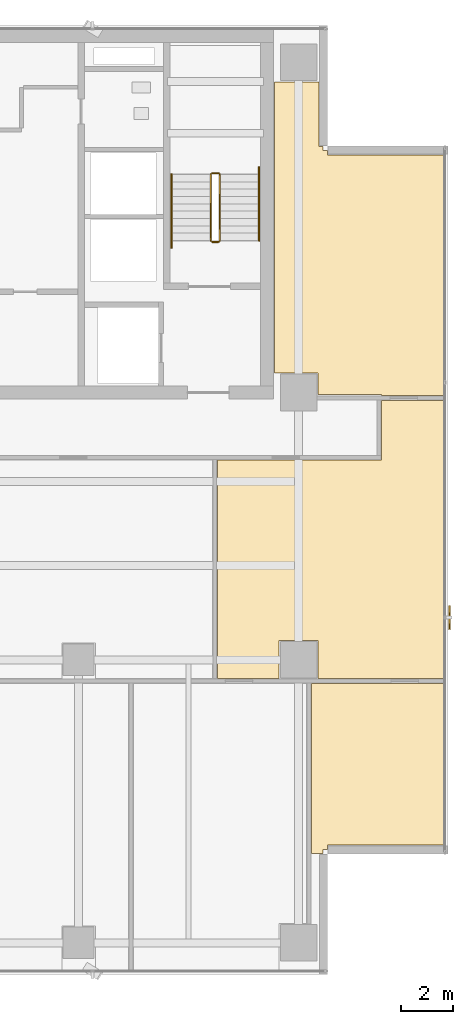
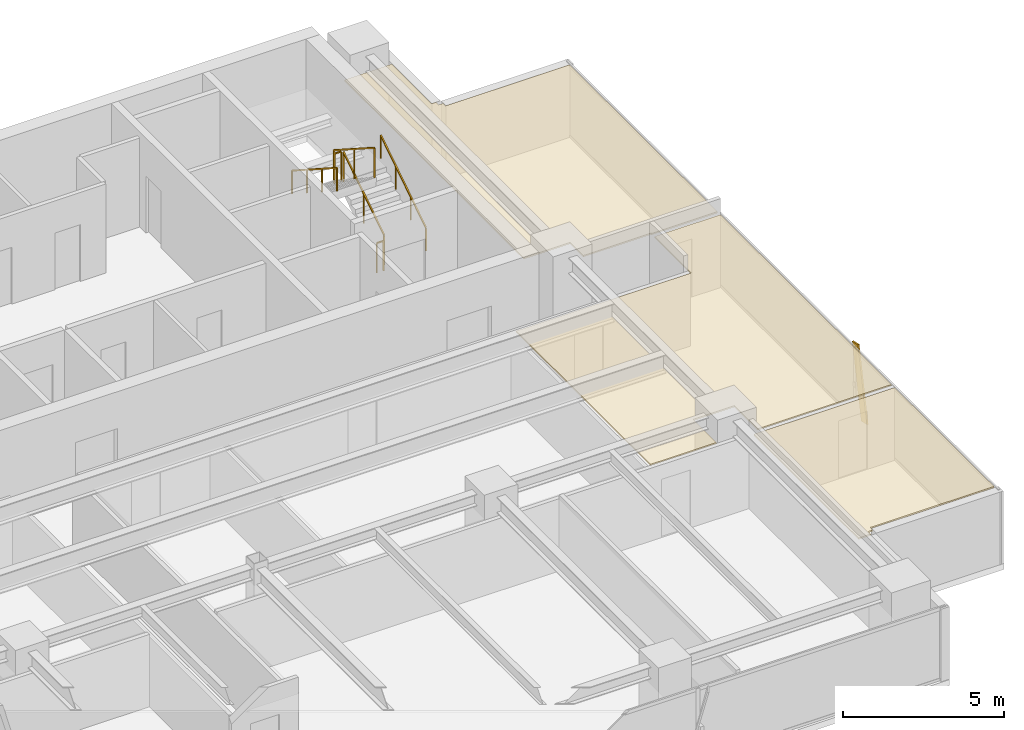
# One storey, part 24 of 26: 6 railings, 3 coverings, 1 shading device.
"""IFC4 building model written with IfcOpenShell, lengths in metres."""

from ifc_helpers import new_model, si_unit, direction, frame, origin, origin_2d, place, context, subcontext, project, spatial, polyline, rectangle, outline, extrude, source, transform, mapped, material, layer, layer_set, material_profile, profile_set, type_object, element, save


model = new_model("IFC4")

# Units and contexts
model_context = context("Model", 3, precision=1e-05, world=origin(), true_north=direction((0.0, 1.0)))
body_context = subcontext(model_context, "Body", "Model", "MODEL_VIEW")
ifc_project = project(units=[si_unit("LENGTHUNIT", "METRE"), si_unit("AREAUNIT", "SQUARE_METRE"), si_unit("VOLUMEUNIT", "CUBIC_METRE"), si_unit("PLANEANGLEUNIT", "RADIAN"), si_unit("MASSUNIT", "GRAM", prefix="KILO")], contexts=[model_context])

# Site, building, storey
site_placement = place(None, origin())
site = spatial("IfcSite", under=ifc_project, at=site_placement, CompositionType="ELEMENT")
building_placement = place(site_placement, origin())
building = spatial("IfcBuilding", under=site, at=building_placement, Name="Sumidabori Civic Tower", CompositionType="ELEMENT")
storey_placement = place(building_placement, frame((0.0, 0.0, 250.39990234375)))
storey = spatial("IfcBuildingStorey", under=building, at=storey_placement, Name="L65", CompositionType="ELEMENT", Elevation=250.39990234375)

# Coverings
ifc_material_1 = material(Name="Anodised Bronze Baffle Ceiling")
ifc_layer = layer(ifc_material_1, 0.054931640625, Name="Anodised Bronze Baffle Ceiling")
ifc_layer_set = layer_set([ifc_layer], Name="Anodised Bronze Baffle Ceiling")
covering_type = type_object("IfcCoveringType", Name="CV-CEIL-AC3", PredefinedType="CEILING", material=ifc_layer_set)
covering_1_placement = place(storey_placement, frame((0.0, 0.0, 2.72021484375)))
element("IfcCovering", 1, at=covering_1_placement, inside=storey, type_object=covering_type, Name="Room Acoustic Ceiling L65-02", PredefinedType="CEILING", context=body_context, shape_type="SweptSolid", body=[
    extrude(outline(polyline([(17.572021484375, 22.06005859375), (17.572021484375, 19.592041015625), (17.72998046875, 19.592041015625), (17.72998046875, 19.429931640625), (17.89208984375, 19.429931640625), (17.89208984375, 19.27197265625), (22.330078125, 19.27197265625), (22.330078125, 10.094970703125), (19.969970703125, 10.094970703125), (19.969970703125, 10.1201171875), (17.5400390625, 10.1201171875), (17.5400390625, 10.93994140625), (15.8779296875, 10.93994140625), (15.8779296875, 22.06005859375), (17.572021484375, 22.06005859375)])), origin(), (0.0, 0.0, 1.0), 0.054931640625),
])
covering_2_placement = place(storey_placement, frame((0.0, 0.0, 2.72021484375)))
element("IfcCovering", 2, at=covering_2_placement, inside=storey, type_object=covering_type, Name="Room Acoustic Ceiling L65-04", PredefinedType="CEILING", context=body_context, shape_type="SweptSolid", body=[
    extrude(outline(polyline([(13.695068359375, 7.6298828125), (19.969970703125, 7.6298828125), (19.969970703125, 9.905029296875), (22.330078125, 9.905029296875), (22.330078125, -0.705078125), (17.5400390625, -0.705078125), (17.5400390625, 0.739990234375), (16.06005859375, 0.739990234375), (16.06005859375, -0.705078125), (13.695068359375, -0.705078125), (13.695068359375, 7.6298828125)])), origin(), (0.0, 0.0, 1.0), 0.054931640625),
])
covering_3_placement = place(storey_placement, frame((0.0, 0.0, 2.72021484375)))
element("IfcCovering", 3, at=covering_3_placement, inside=storey, type_object=covering_type, Name="Room Acoustic Ceiling L65-10", PredefinedType="CEILING", context=body_context, shape_type="SweptSolid", body=[
    extrude(outline(polyline([(22.330078125, -0.89501953125), (22.330078125, -7.072021484375), (17.89208984375, -7.072021484375), (17.89208984375, -7.22998046875), (17.72998046875, -7.22998046875), (17.72998046875, -7.39208984375), (17.294921875, -7.39208984375), (17.294921875, -0.89501953125), (22.330078125, -0.89501953125)])), origin(), (0.0, 0.0, 1.0), 0.054931640625),
])

# Railings
ifc_material_2 = material(Name="Stainless Steel Hairline Finish", Category="steel")
railing_type_1 = type_object("IfcRailingType", Name="RL-HANDRAIL", PredefinedType="HANDRAIL", material=ifc_material_2)
railing_1_placement = place(storey_placement, frame((15.2900390625, 16.0, 0.18017578125)))
element("IfcRailing", 4, at=railing_1_placement, inside=storey, type_object=railing_type_1, Name="L65 ST-2 stair handrail 1", PredefinedType="HANDRAIL", context=body_context, shape_type="SweptSolid", body=[
    extrude(rectangle(XDim=0.048095703125, YDim=0.048095703125, at=origin_2d()), frame((0.0, 0.0, 0.8759765625), z_axis=(0.0, 0.840675598268, 0.541539046124), x_axis=(-1.0, 0.0, 0.0)), (0.0, 0.0, 1.0), 3.330810546875),
    extrude(rectangle(XDim=0.0419921875, YDim=0.0419921875, at=origin_2d()), origin(), (0.0, 0.0, 1.0), 0.851806640625),
    extrude(rectangle(XDim=0.0419921875, YDim=0.0419921875, at=origin_2d()), frame((0.0, 0.933349609375, 0.601318359375)), (0.0, 0.0, 1.0), 0.851806640625),
    extrude(rectangle(XDim=0.0419921875, YDim=0.0419921875, at=origin_2d()), frame((0.0, 1.86669921875, 1.202392578125)), (0.0, 0.0, 1.0), 0.851806640625),
    extrude(rectangle(XDim=0.0419921875, YDim=0.0419921875, at=origin_2d()), frame((0.0, 2.800048828125, 1.8037109375)), (0.0, 0.0, 1.0), 0.851806640625),
])
railing_2_placement = place(storey_placement, frame((11.949951171875, 18.52001953125, 1.97998046875)))
element("IfcRailing", 5, at=railing_2_placement, inside=storey, type_object=railing_type_1, Name="L65 ST-2 stair handrail 2", PredefinedType="HANDRAIL", context=body_context, shape_type="SweptSolid", body=[
    extrude(rectangle(XDim=0.048095703125, YDim=0.048095703125, at=origin_2d()), frame((0.0, 0.0, 0.8759765625), z_axis=(0.0, -0.84064222762, 0.54159084662), x_axis=(1.0, 0.0, 0.0)), (0.0, 0.0, 1.0), 3.330810546875),
    extrude(rectangle(XDim=0.0419921875, YDim=0.0419921875, at=origin_2d()), origin(), (0.0, 0.0, 1.0), 0.851806640625),
    extrude(rectangle(XDim=0.0419921875, YDim=0.0419921875, at=origin_2d()), frame((0.0, -0.933349609375, 0.601318359375)), (0.0, 0.0, 1.0), 0.851806640625),
    extrude(rectangle(XDim=0.0419921875, YDim=0.0419921875, at=origin_2d()), frame((0.0, -1.86669921875, 1.20263671875)), (0.0, 0.0, 1.0), 0.851806640625),
    extrude(rectangle(XDim=0.0419921875, YDim=0.0419921875, at=origin_2d()), frame((0.0, -2.800048828125, 1.803955078125)), (0.0, 0.0, 1.0), 0.851806640625),
])
ifc_material_3 = material(Name="Steel SN490", Category="steel")
railing_type_2 = type_object("IfcRailingType", Name="RL-STAIR-GUARD", PredefinedType="GUARDRAIL", material=ifc_material_3)
railing_3_placement = place(storey_placement, frame((13.7900390625, 16.0, 0.18017578125)))
element("IfcRailing", 6, at=railing_3_placement, inside=storey, type_object=railing_type_2, Name="L65 ST-2 stair guard 1", PredefinedType="GUARDRAIL", context=body_context, shape_type="SweptSolid", body=[
    extrude(rectangle(XDim=0.048095703125, YDim=0.048095703125, at=origin_2d()), frame((0.0, 0.0, 1.1259765625), z_axis=(0.0, 0.841199657755, 0.540724639528), x_axis=(-1.0, 0.0, 0.0)), (0.0, 0.0, 1.0), 2.995849609375),
    extrude(rectangle(XDim=0.0419921875, YDim=0.0419921875, at=origin_2d()), origin(), (0.0, 0.0, 1.0), 1.101806640625),
    extrude(rectangle(XDim=0.0419921875, YDim=0.0419921875, at=origin_2d()), frame((0.0, 1.260009765625, 0.81005859375)), (0.0, 0.0, 1.0), 1.101806640625),
    extrude(rectangle(XDim=0.0419921875, YDim=0.0419921875, at=origin_2d()), frame((0.0, 2.52001953125, 1.619873046875)), (0.0, 0.0, 1.0), 1.101806640625),
])
railing_4_placement = place(storey_placement, frame((13.739990234375, 18.570068359375, 1.800048828125)))
element("IfcRailing", 7, at=railing_4_placement, inside=storey, type_object=railing_type_2, Name="L65 ST-2 stair guard 2", PredefinedType="GUARDRAIL", context=body_context, shape_type="SweptSolid", body=[
    extrude(rectangle(XDim=0.048095703125, YDim=0.048095703125, at=origin_2d()), frame((0.0, 0.0, 1.1259765625), z_axis=(-1.0, 0.0, 0.0), x_axis=(0.0, -1.0, 0.0)), (0.0, 0.0, 1.0), 0.239990234375),
    extrude(rectangle(XDim=0.0419921875, YDim=0.0419921875, at=origin_2d()), origin(), (0.0, 0.0, 1.0), 1.101806640625),
    extrude(rectangle(XDim=0.0419921875, YDim=0.0419921875, at=origin_2d()), frame((-0.239990234375, 0.0, 0.0)), (0.0, 0.0, 1.0), 1.101806640625),
])
railing_5_placement = place(storey_placement, frame((13.449951171875, 18.52001953125, 1.97998046875)))
element("IfcRailing", 8, at=railing_5_placement, inside=storey, type_object=railing_type_2, Name="L65 ST-2 stair guard 3", PredefinedType="GUARDRAIL", context=body_context, shape_type="SweptSolid", body=[
    extrude(rectangle(XDim=0.048095703125, YDim=0.048095703125, at=origin_2d()), frame((0.0, 0.0, 1.1259765625), z_axis=(0.0, -0.841162588446, 0.540782303519), x_axis=(1.0, 0.0, 0.0)), (0.0, 0.0, 1.0), 2.995849609375),
    extrude(rectangle(XDim=0.0419921875, YDim=0.0419921875, at=origin_2d()), origin(), (0.0, 0.0, 1.0), 1.101806640625),
    extrude(rectangle(XDim=0.0419921875, YDim=0.0419921875, at=origin_2d()), frame((0.0, -1.260009765625, 0.81005859375)), (0.0, 0.0, 1.0), 1.101806640625),
    extrude(rectangle(XDim=0.0419921875, YDim=0.0419921875, at=origin_2d()), frame((0.0, -2.52001953125, 1.6201171875)), (0.0, 0.0, 1.0), 1.101806640625),
])
railing_6_placement = place(storey_placement, frame((13.739990234375, 15.949951171875, 0.0)))
element("IfcRailing", 9, at=railing_6_placement, inside=storey, type_object=railing_type_2, Name="L65 ST-2 stair guard 4", PredefinedType="GUARDRAIL", context=body_context, shape_type="SweptSolid", body=[
    extrude(rectangle(XDim=0.048095703125, YDim=0.048095703125, at=origin_2d()), frame((0.0, 0.0, 1.1259765625), z_axis=(-1.0, 0.0, 0.0), x_axis=(0.0, -1.0, 0.0)), (0.0, 0.0, 1.0), 0.239990234375),
    extrude(rectangle(XDim=0.0419921875, YDim=0.0419921875, at=origin_2d()), origin(), (0.0, 0.0, 1.0), 1.101806640625),
    extrude(rectangle(XDim=0.0419921875, YDim=0.0419921875, at=origin_2d()), frame((-0.239990234375, 0.0, 0.0)), (0.0, 0.0, 1.0), 1.101806640625),
])

# Shading device
ifc_material_4 = material(Name="Anodised Bronze Aluminium AW-6063-T6", Category="aluminium")
ifc_material_profile = material_profile(ifc_material_4, rectangle(XDim=0.054931640625, YDim=0.360107421875, at=origin_2d()), Name="BRONZE FIN 360x55")
ifc_profile_set = profile_set([ifc_material_profile], Name="Anodised Bronze Aluminium AW-6063-T6")
shading_device_type = type_object("IfcShadingDeviceType", Name="SH-FIN-360", PredefinedType="USERDEFINED", material=ifc_profile_set)
shared_shape = source(origin(), body_context, "Body", "SweptSolid", [
    extrude(rectangle(XDim=0.054931640625, YDim=0.360107421875, at=origin_2d()), origin(), (0.0, 0.0, 1.0), 2.747802734375),
])
shading_device_placement = place(storey_placement, frame((22.550048828125, 1.330078125, 0.02001953125), z_axis=(0.0, 0.203730721899, 0.979026962323), x_axis=(-1.0, 0.0, 0.0)))
element("IfcShadingDevice", 10, at=shading_device_placement, inside=storey, type_object=shading_device_type, Name="Bronze Anodised Diagonal Fin L65-01", ObjectType="FIN", PredefinedType="USERDEFINED", context=body_context, shape_type="MappedRepresentation", body=[
    mapped(shared_shape, transform((0.0, 0.0, 0.0), x_axis=(1.0, 0.0, 0.0), y_axis=(0.0, 1.0, 0.0), z_axis=(0.0, 0.0, 1.0), scale=1.0)),
])

save(model, "model.ifc")
